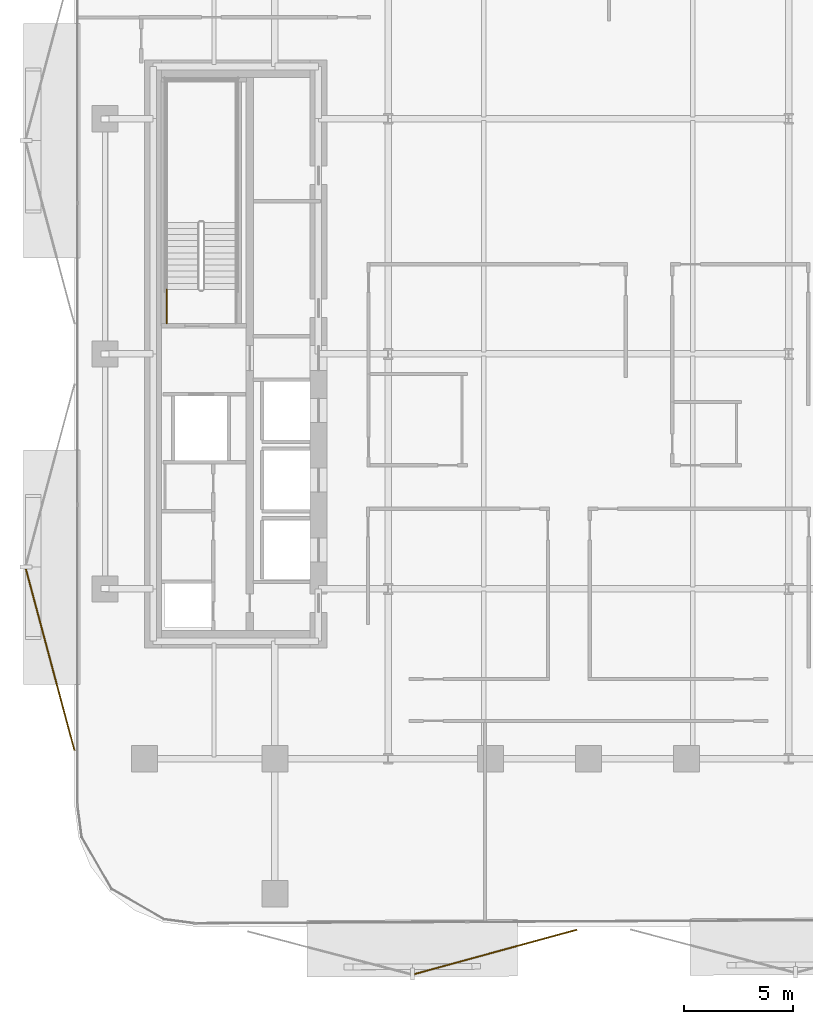
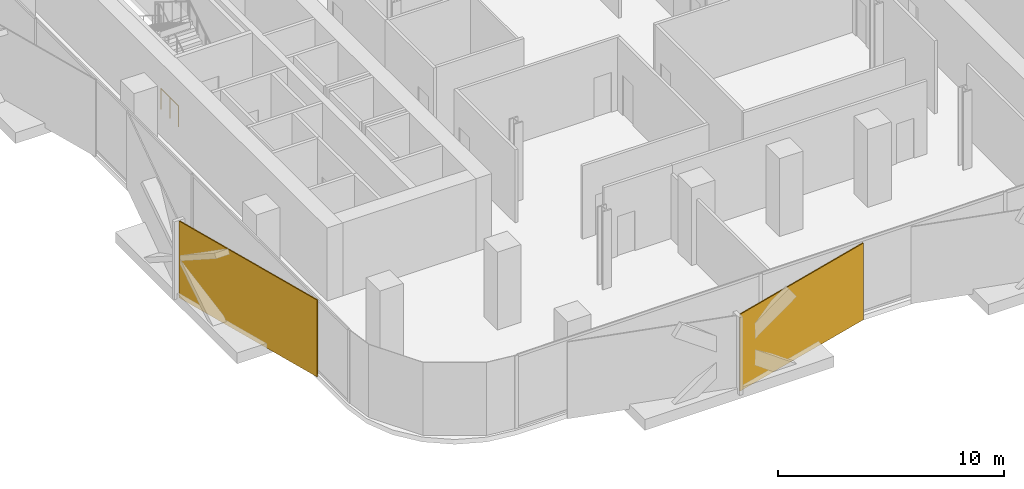
# One storey, part 11 of 15: 2 coverings, 1 railing.
"""IFC4 building model written with IfcOpenShell, lengths in metres."""

import ifcopenshell
import ifcopenshell.guid

model = None  # the IFC model being written
_history = None  # IfcOwnerHistory: only IFC2X3 demands one
_inside = {}  # id of a spatial element -> (the spatial element, [elements in it])
_under = {}  # id of a project, library or spatial element -> (it, [spatial elements below it])
_declared = {}  # id of a project -> (the project, [libraries it declares])
_typed = {}  # id of a type object -> (the type object, [elements of that type])
_made_of = {}  # id of a material, layer set ... -> (it, [elements and type objects made of it])


def new_model(schema):
    """Start an empty IFC model of exactly this schema.

    Asked for "IFC4X3", IfcOpenShell would pick the latest addendum, in which some entities
    have other attributes; the version numbers below select the first issue.
    IFC2X3 requires an IfcOwnerHistory on every rooted entity: one is made here for all.
    """
    global model, _history
    if schema == "IFC4X3":
        model = ifcopenshell.file(schema_version=(4, 3, 0, 0))
    else:
        model = ifcopenshell.file(schema=schema)
    _inside.clear()
    _under.clear()
    _declared.clear()
    _typed.clear()
    _made_of.clear()
    _history = None
    if model.schema == "IFC2X3":
        org = make("IfcOrganization", Name="unknown")
        user = make(
            "IfcPersonAndOrganization",
            ThePerson=make("IfcPerson", FamilyName="unknown"),
            TheOrganization=org,
        )
        app = make(
            "IfcApplication",
            ApplicationDeveloper=org,
            Version="unknown",
            ApplicationFullName="unknown",
            ApplicationIdentifier="unknown",
        )
        _history = make(
            "IfcOwnerHistory",
            OwningUser=user,
            OwningApplication=app,
            ChangeAction="ADDED",
            CreationDate=0,
        )
    return model


def make(cls, **values):
    """One entity of the class cls with the attributes given. An attribute that is None is left unset."""
    return model.create_entity(
        cls, **{name: value for name, value in values.items() if value is not None}
    )


def rooted(cls, **values):
    """An entity with a GlobalId (a new one), such as an element, a storey or a relation."""
    return make(cls, GlobalId=ifcopenshell.guid.new(), OwnerHistory=_history, **values)


def si_unit(unit_type, name, prefix=None):
    """IfcSIUnit, for example si_unit("LENGTHUNIT", "METRE", prefix="MILLI")."""
    return make("IfcSIUnit", UnitType=unit_type, Prefix=prefix, Name=name)


def assignment(units):
    """IfcUnitAssignment: the units of a project."""
    return None if units is None else make("IfcUnitAssignment", Units=units)


def point(xyz):
    """IfcCartesianPoint."""
    return None if xyz is None else make("IfcCartesianPoint", Coordinates=xyz)


def direction(xyz):
    """IfcDirection."""
    return None if xyz is None else make("IfcDirection", DirectionRatios=xyz)


def frame(location, z_axis=None, x_axis=None):
    """IfcAxis2Placement3D, a coordinate frame: its origin and axes. An axis left out is left unset."""
    return make(
        "IfcAxis2Placement3D",
        Location=point(location),
        Axis=direction(z_axis),
        RefDirection=direction(x_axis),
    )


def frame_2d(location, x_axis=None):
    """IfcAxis2Placement2D, a coordinate frame in the plane: its origin and x axis."""
    return make(
        "IfcAxis2Placement2D", Location=point(location), RefDirection=direction(x_axis)
    )


def origin():
    """The frame at (0, 0, 0) with its axes left unset."""
    return frame((0.0, 0.0, 0.0))


def origin_2d():
    """The frame at (0, 0) in the plane with its x axis left unset."""
    return frame_2d((0.0, 0.0))


def place(relative_to, where):
    """IfcLocalPlacement: puts the frame where relative to a parent placement (None: the world)."""
    return make(
        "IfcLocalPlacement", PlacementRelTo=relative_to, RelativePlacement=where
    )


def context(
    kind, dimensions, precision=None, world=None, true_north=None, identifier=None
):
    """IfcGeometricRepresentationContext, for example the 3D "Model" context."""
    return make(
        "IfcGeometricRepresentationContext",
        ContextIdentifier=identifier,
        ContextType=kind,
        CoordinateSpaceDimension=dimensions,
        Precision=precision,
        WorldCoordinateSystem=world,
        TrueNorth=true_north,
    )


def subcontext(parent, identifier, kind, view, scale=None):
    """IfcGeometricRepresentationSubContext, for example "Body" below "Model"."""
    return make(
        "IfcGeometricRepresentationSubContext",
        ContextIdentifier=identifier,
        ContextType=kind,
        ParentContext=parent,
        TargetScale=scale,
        TargetView=view,
    )


def project(units=None, contexts=None):
    """IfcProject with its units and contexts."""
    return rooted(
        "IfcProject",
        Name="project",
        RepresentationContexts=contexts,
        UnitsInContext=assignment(units),
    )


def spatial(cls, under=None, at=None, **own):
    """A site, building, storey or space (cls), placed at a placement, below another one or the project."""
    s = rooted(cls, ObjectPlacement=at, **own)
    if under is not None:
        _under.setdefault(under.id(), (under, []))[1].append(s)
    return s


def profile(cls, at=None, kind="AREA", **sizes):
    """A parametric profile (cls). Its sizes go by their IFC names, for example OverallWidth=200.0."""
    return make(cls, ProfileType=kind, Position=at, **sizes)


def rectangle(**sizes):
    """IfcRectangleProfileDef."""
    return profile("IfcRectangleProfileDef", **sizes)


def circle(**sizes):
    """IfcCircleProfileDef."""
    return profile("IfcCircleProfileDef", **sizes)


def extrude(swept, where, along, depth):
    """IfcExtrudedAreaSolid: the profile swept, set in the frame where, extruded along a direction by depth."""
    return make(
        "IfcExtrudedAreaSolid",
        SweptArea=swept,
        Position=where,
        ExtrudedDirection=direction(along),
        Depth=depth,
    )


def shape(context_of_items, identifier, shape_type, items):
    """IfcShapeRepresentation: the items that make up one representation, for example the "Body"."""
    return make(
        "IfcShapeRepresentation",
        ContextOfItems=context_of_items,
        RepresentationIdentifier=identifier,
        RepresentationType=shape_type,
        Items=items,
    )


def material(Name=None, Category=None):
    """IfcMaterial."""
    return make("IfcMaterial", Name=Name, Category=Category)


def layer(
    of_material, thickness, ventilated=None, Name=None, Category=None, Priority=None
):
    """IfcMaterialLayer: one layer of a wall or slab, of a material (None: an air gap)."""
    return make(
        "IfcMaterialLayer",
        Material=of_material,
        LayerThickness=thickness,
        IsVentilated=ventilated,
        Name=Name,
        Category=Category,
        Priority=Priority,
    )


def layer_set(layers, Name=None):
    """IfcMaterialLayerSet."""
    return make("IfcMaterialLayerSet", MaterialLayers=layers, LayerSetName=Name)


def made_of(thing, what):
    """Note that an element or type object is made of a material, layer set ...; save() writes the relation."""
    if what is not None:
        _made_of.setdefault(what.id(), (what, []))[1].append(thing)
    return thing


def type_object(cls, material=None, **own):
    """A type object (cls), such as IfcWallType, which elements share."""
    return made_of(rooted(cls, **own), material)


def element(
    cls,
    number,
    at=None,
    inside=None,
    cuts=None,
    type_object=None,
    material=None,
    context=None,
    identifier="Body",
    shape_type=None,
    held_by="IfcProductDefinitionShape",
    body=None,
    shapes=None,
    **own,
):
    """One element of the class cls, such as IfcWall. Its Tag is "e" and its number.

    at: its placement. inside: the storey or other place that contains it. cuts: it is an
    opening in that element (IfcRelVoidsElement). A single representation is given by context,
    identifier, shape_type and body (its items); several are given by shapes. held_by: the class
    of the entity that holds the representations. save() writes the other relations.
    """
    e = rooted(cls, Tag="e%d" % number, ObjectPlacement=at, **own)
    if body is not None:
        shapes = [shape(context, identifier, shape_type, body)]
    if shapes is not None:
        e.Representation = make(held_by, Representations=shapes)
    if inside is not None:
        _inside.setdefault(inside.id(), (inside, []))[1].append(e)
    if cuts is not None:
        rooted(
            "IfcRelVoidsElement", RelatingBuildingElement=cuts, RelatedOpeningElement=e
        )
    if type_object is not None:
        _typed.setdefault(type_object.id(), (type_object, []))[1].append(e)
    return made_of(e, material)


def aggregate(whole, parts):
    """IfcRelAggregates: a whole, such as a stair, and the parts it consists of."""
    return rooted("IfcRelAggregates", RelatingObject=whole, RelatedObjects=parts)


def save(model, path):
    """Write the relations noted so far, then the file.

    IfcRelAggregates (storeys below a building ...), IfcRelContainedInSpatialStructure (elements
    in a storey), IfcRelDefinesByType, IfcRelAssociatesMaterial and IfcRelDeclares: one each for
    every whole, place, type object, material and project.
    """
    for whole, parts in _under.values():
        aggregate(whole, parts)
    for where, things in _inside.values():
        rooted(
            "IfcRelContainedInSpatialStructure",
            RelatedElements=things,
            RelatingStructure=where,
        )
    for kind, things in _typed.values():
        rooted("IfcRelDefinesByType", RelatedObjects=things, RelatingType=kind)
    for what, things in _made_of.values():
        rooted("IfcRelAssociatesMaterial", RelatedObjects=things, RelatingMaterial=what)
    for by, libraries in _declared.values():
        rooted("IfcRelDeclares", RelatingContext=by, RelatedDefinitions=libraries)
    model.write(path)


model = new_model("IFC4")

# Units and contexts
model_context = context("Model", 3, precision=1e-05, world=origin(), true_north=direction((0.0, 1.0)))
body_context = subcontext(model_context, "Body", "Model", "MODEL_VIEW")
ifc_project = project(units=[si_unit("LENGTHUNIT", "METRE"), si_unit("AREAUNIT", "SQUARE_METRE"), si_unit("VOLUMEUNIT", "CUBIC_METRE"), si_unit("PLANEANGLEUNIT", "RADIAN"), si_unit("MASSUNIT", "GRAM", prefix="KILO")], contexts=[model_context])

# Site, building, storey
site_placement = place(None, origin())
site = spatial("IfcSite", under=ifc_project, at=site_placement, CompositionType="ELEMENT")
building_placement = place(site_placement, origin())
building = spatial("IfcBuilding", under=site, at=building_placement, Name="Khairoan Windgate Tower", CompositionType="ELEMENT")
storey_placement = place(building_placement, frame((0.0, 0.0, 110.0)))
storey = spatial("IfcBuildingStorey", under=building, at=storey_placement, Name="L25", CompositionType="ELEMENT", Elevation=110.0)

# Coverings
ifc_material_1 = material(Name="Anodised Bronze Aluminium 6063-T6", Category="aluminium")
ifc_layer = layer(ifc_material_1, 0.054931640625, Name="Anodised Bronze Aluminium 6063-T6")
ifc_layer_set = layer_set([ifc_layer], Name="Anodised Bronze Aluminium 6063-T6")
covering_type = type_object("IfcCoveringType", Name="Perforated Bronze-Ceramic Folded Solar Screen Cladding BSC-1", PredefinedType="CLADDING", material=ifc_layer_set)
covering_1_placement = place(storey_placement, frame((-4.261962890625, -27.470947265625, -0.10009765625), z_axis=(0.0, 0.0, 1.0), x_axis=(-0.964649468762, -0.263536339841, 0.0)))
element("IfcCovering", 1, at=covering_1_placement, inside=storey, type_object=covering_type, Name="L25 Folded Bronze Solar Screen Facet 146L", PredefinedType="CLADDING", context=body_context, shape_type="SweptSolid", body=[
    extrude(rectangle(XDim=7.739013671875, YDim=0.054931640625, at=origin_2d()), origin(), (0.0, 0.0, 1.0), 4.139892578125),
])
covering_2_placement = place(storey_placement, frame((-24.724609375, -14.048583984375, -0.10009765625), z_axis=(0.0, 0.0, 1.0), x_axis=(-0.258819045103, 0.965925826289, 0.0)))
element("IfcCovering", 2, at=covering_2_placement, inside=storey, type_object=covering_type, Name="L25 Folded Bronze Solar Screen Facet 147L", PredefinedType="CLADDING", context=body_context, shape_type="SweptSolid", body=[
    extrude(rectangle(XDim=8.6201171875, YDim=0.054931640625, at=origin_2d()), origin(), (0.0, 0.0, 1.0), 4.139892578125),
])

# Railing
ifc_material_2 = material(Name="Steel S355", Category="steel")
railing_type = type_object("IfcRailingType", Name="Stairwell Safety Guardrail SGR-1150", PredefinedType="GUARDRAIL", material=ifc_material_2)
railing_placement = place(storey_placement, frame((-19.3701171875, 1.39990234375, 0.0)))
element("IfcRailing", 3, at=railing_placement, inside=storey, type_object=railing_type, Name="L25 ST2 stair guard 9", PredefinedType="GUARDRAIL", context=body_context, shape_type="SweptSolid", body=[
    extrude(circle(Radius=0.02392578125, at=origin_2d()), frame((0.0, 0.0, 1.1259765625), z_axis=(0.0, 1.0, 0.0), x_axis=(-1.0, 0.0, 0.0)), (0.0, 0.0, 1.0), 1.56005859375),
    extrude(circle(Radius=0.02099609375, at=origin_2d()), origin(), (0.0, 0.0, 1.0), 1.101806640625),
    extrude(circle(Radius=0.02099609375, at=origin_2d()), frame((0.0, 0.780029296875, 0.0)), (0.0, 0.0, 1.0), 1.101806640625),
    extrude(circle(Radius=0.02099609375, at=origin_2d()), frame((0.0, 1.56005859375, 0.0)), (0.0, 0.0, 1.0), 1.101806640625),
])

save(model, "model.ifc")
